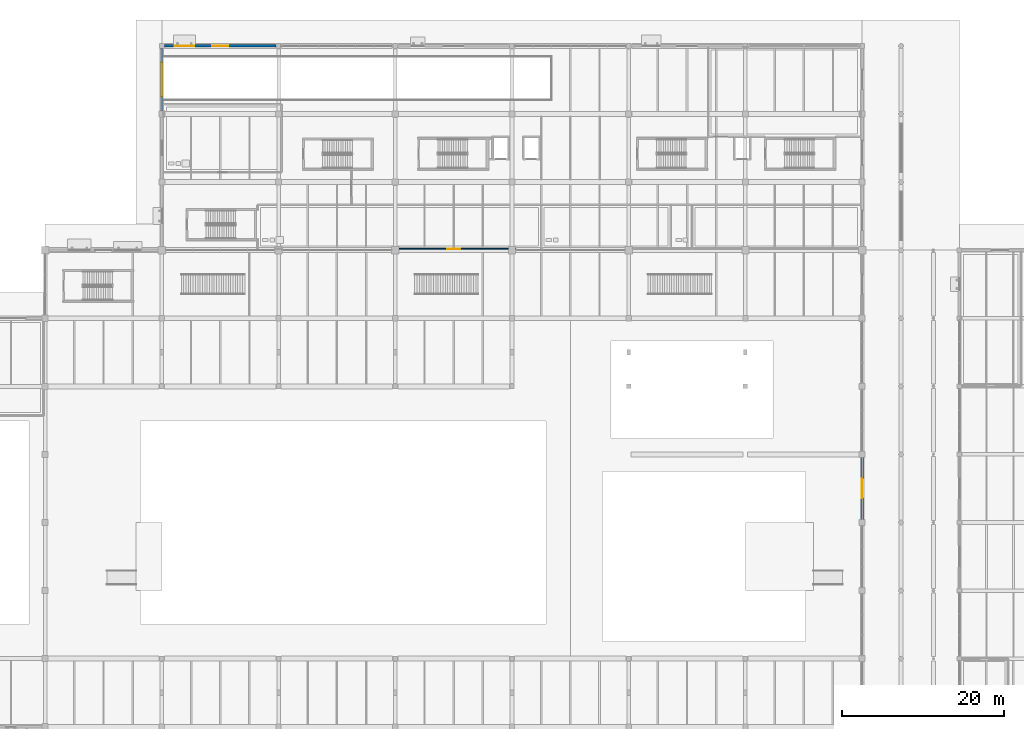
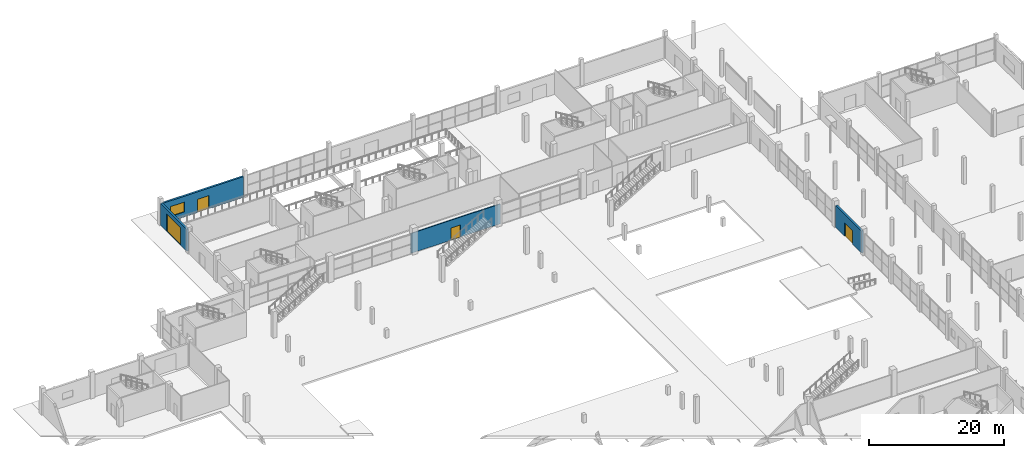
# One storey, part 94 of 130: 4 doors, 4 walls, 1 window, 5 openings.
"""IFC4 building model written with IfcOpenShell, lengths in metres."""

import ifcopenshell
import ifcopenshell.guid

model = None  # the IFC model being written
_history = None  # IfcOwnerHistory: only IFC2X3 demands one
_inside = {}  # id of a spatial element -> (the spatial element, [elements in it])
_under = {}  # id of a project, library or spatial element -> (it, [spatial elements below it])
_declared = {}  # id of a project -> (the project, [libraries it declares])
_typed = {}  # id of a type object -> (the type object, [elements of that type])
_made_of = {}  # id of a material, layer set ... -> (it, [elements and type objects made of it])


def new_model(schema):
    """Start an empty IFC model of exactly this schema.

    Asked for "IFC4X3", IfcOpenShell would pick the latest addendum, in which some entities
    have other attributes; the version numbers below select the first issue.
    IFC2X3 requires an IfcOwnerHistory on every rooted entity: one is made here for all.
    """
    global model, _history
    if schema == "IFC4X3":
        model = ifcopenshell.file(schema_version=(4, 3, 0, 0))
    else:
        model = ifcopenshell.file(schema=schema)
    _inside.clear()
    _under.clear()
    _declared.clear()
    _typed.clear()
    _made_of.clear()
    _history = None
    if model.schema == "IFC2X3":
        org = make("IfcOrganization", Name="unknown")
        user = make(
            "IfcPersonAndOrganization",
            ThePerson=make("IfcPerson", FamilyName="unknown"),
            TheOrganization=org,
        )
        app = make(
            "IfcApplication",
            ApplicationDeveloper=org,
            Version="unknown",
            ApplicationFullName="unknown",
            ApplicationIdentifier="unknown",
        )
        _history = make(
            "IfcOwnerHistory",
            OwningUser=user,
            OwningApplication=app,
            ChangeAction="ADDED",
            CreationDate=0,
        )
    return model


def make(cls, **values):
    """One entity of the class cls with the attributes given. An attribute that is None is left unset."""
    return model.create_entity(
        cls, **{name: value for name, value in values.items() if value is not None}
    )


def rooted(cls, **values):
    """An entity with a GlobalId (a new one), such as an element, a storey or a relation."""
    return make(cls, GlobalId=ifcopenshell.guid.new(), OwnerHistory=_history, **values)


def si_unit(unit_type, name, prefix=None):
    """IfcSIUnit, for example si_unit("LENGTHUNIT", "METRE", prefix="MILLI")."""
    return make("IfcSIUnit", UnitType=unit_type, Prefix=prefix, Name=name)


def assignment(units):
    """IfcUnitAssignment: the units of a project."""
    return None if units is None else make("IfcUnitAssignment", Units=units)


def point(xyz):
    """IfcCartesianPoint."""
    return None if xyz is None else make("IfcCartesianPoint", Coordinates=xyz)


def direction(xyz):
    """IfcDirection."""
    return None if xyz is None else make("IfcDirection", DirectionRatios=xyz)


def frame(location, z_axis=None, x_axis=None):
    """IfcAxis2Placement3D, a coordinate frame: its origin and axes. An axis left out is left unset."""
    return make(
        "IfcAxis2Placement3D",
        Location=point(location),
        Axis=direction(z_axis),
        RefDirection=direction(x_axis),
    )


def frame_2d(location, x_axis=None):
    """IfcAxis2Placement2D, a coordinate frame in the plane: its origin and x axis."""
    return make(
        "IfcAxis2Placement2D", Location=point(location), RefDirection=direction(x_axis)
    )


def origin():
    """The frame at (0, 0, 0) with its axes left unset."""
    return frame((0.0, 0.0, 0.0))


def place(relative_to, where):
    """IfcLocalPlacement: puts the frame where relative to a parent placement (None: the world)."""
    return make(
        "IfcLocalPlacement", PlacementRelTo=relative_to, RelativePlacement=where
    )


def context(
    kind, dimensions, precision=None, world=None, true_north=None, identifier=None
):
    """IfcGeometricRepresentationContext, for example the 3D "Model" context."""
    return make(
        "IfcGeometricRepresentationContext",
        ContextIdentifier=identifier,
        ContextType=kind,
        CoordinateSpaceDimension=dimensions,
        Precision=precision,
        WorldCoordinateSystem=world,
        TrueNorth=true_north,
    )


def subcontext(parent, identifier, kind, view, scale=None):
    """IfcGeometricRepresentationSubContext, for example "Body" below "Model"."""
    return make(
        "IfcGeometricRepresentationSubContext",
        ContextIdentifier=identifier,
        ContextType=kind,
        ParentContext=parent,
        TargetScale=scale,
        TargetView=view,
    )


def project(units=None, contexts=None):
    """IfcProject with its units and contexts."""
    return rooted(
        "IfcProject",
        Name="project",
        RepresentationContexts=contexts,
        UnitsInContext=assignment(units),
    )


def spatial(cls, under=None, at=None, **own):
    """A site, building, storey or space (cls), placed at a placement, below another one or the project."""
    s = rooted(cls, ObjectPlacement=at, **own)
    if under is not None:
        _under.setdefault(under.id(), (under, []))[1].append(s)
    return s


def profile(cls, at=None, kind="AREA", **sizes):
    """A parametric profile (cls). Its sizes go by their IFC names, for example OverallWidth=200.0."""
    return make(cls, ProfileType=kind, Position=at, **sizes)


def rectangle(**sizes):
    """IfcRectangleProfileDef."""
    return profile("IfcRectangleProfileDef", **sizes)


def extrude(swept, where, along, depth):
    """IfcExtrudedAreaSolid: the profile swept, set in the frame where, extruded along a direction by depth."""
    return make(
        "IfcExtrudedAreaSolid",
        SweptArea=swept,
        Position=where,
        ExtrudedDirection=direction(along),
        Depth=depth,
    )


def shape(context_of_items, identifier, shape_type, items):
    """IfcShapeRepresentation: the items that make up one representation, for example the "Body"."""
    return make(
        "IfcShapeRepresentation",
        ContextOfItems=context_of_items,
        RepresentationIdentifier=identifier,
        RepresentationType=shape_type,
        Items=items,
    )


def material(Name=None, Category=None):
    """IfcMaterial."""
    return make("IfcMaterial", Name=Name, Category=Category)


def layer(
    of_material, thickness, ventilated=None, Name=None, Category=None, Priority=None
):
    """IfcMaterialLayer: one layer of a wall or slab, of a material (None: an air gap)."""
    return make(
        "IfcMaterialLayer",
        Material=of_material,
        LayerThickness=thickness,
        IsVentilated=ventilated,
        Name=Name,
        Category=Category,
        Priority=Priority,
    )


def layer_set(layers, Name=None):
    """IfcMaterialLayerSet."""
    return make("IfcMaterialLayerSet", MaterialLayers=layers, LayerSetName=Name)


def made_of(thing, what):
    """Note that an element or type object is made of a material, layer set ...; save() writes the relation."""
    if what is not None:
        _made_of.setdefault(what.id(), (what, []))[1].append(thing)
    return thing


def type_object(cls, material=None, **own):
    """A type object (cls), such as IfcWallType, which elements share."""
    return made_of(rooted(cls, **own), material)


def element(
    cls,
    number,
    at=None,
    inside=None,
    cuts=None,
    type_object=None,
    material=None,
    context=None,
    identifier="Body",
    shape_type=None,
    held_by="IfcProductDefinitionShape",
    body=None,
    shapes=None,
    **own,
):
    """One element of the class cls, such as IfcWall. Its Tag is "e" and its number.

    at: its placement. inside: the storey or other place that contains it. cuts: it is an
    opening in that element (IfcRelVoidsElement). A single representation is given by context,
    identifier, shape_type and body (its items); several are given by shapes. held_by: the class
    of the entity that holds the representations. save() writes the other relations.
    """
    e = rooted(cls, Tag="e%d" % number, ObjectPlacement=at, **own)
    if body is not None:
        shapes = [shape(context, identifier, shape_type, body)]
    if shapes is not None:
        e.Representation = make(held_by, Representations=shapes)
    if inside is not None:
        _inside.setdefault(inside.id(), (inside, []))[1].append(e)
    if cuts is not None:
        rooted(
            "IfcRelVoidsElement", RelatingBuildingElement=cuts, RelatedOpeningElement=e
        )
    if type_object is not None:
        _typed.setdefault(type_object.id(), (type_object, []))[1].append(e)
    return made_of(e, material)


def fill(opening, filler):
    """IfcRelFillsElement: the door or window that sits in an opening."""
    return rooted(
        "IfcRelFillsElement",
        RelatingOpeningElement=opening,
        RelatedBuildingElement=filler,
    )


def aggregate(whole, parts):
    """IfcRelAggregates: a whole, such as a stair, and the parts it consists of."""
    return rooted("IfcRelAggregates", RelatingObject=whole, RelatedObjects=parts)


def save(model, path):
    """Write the relations noted so far, then the file.

    IfcRelAggregates (storeys below a building ...), IfcRelContainedInSpatialStructure (elements
    in a storey), IfcRelDefinesByType, IfcRelAssociatesMaterial and IfcRelDeclares: one each for
    every whole, place, type object, material and project.
    """
    for whole, parts in _under.values():
        aggregate(whole, parts)
    for where, things in _inside.values():
        rooted(
            "IfcRelContainedInSpatialStructure",
            RelatedElements=things,
            RelatingStructure=where,
        )
    for kind, things in _typed.values():
        rooted("IfcRelDefinesByType", RelatedObjects=things, RelatingType=kind)
    for what, things in _made_of.values():
        rooted("IfcRelAssociatesMaterial", RelatedObjects=things, RelatingMaterial=what)
    for by, libraries in _declared.values():
        rooted("IfcRelDeclares", RelatingContext=by, RelatedDefinitions=libraries)
    model.write(path)


model = new_model("IFC4")

# Units and contexts
model_context = context("Model", 3, precision=1e-05, world=origin(), true_north=direction((0.0, 1.0)))
body_context = subcontext(model_context, "Body", "Model", "MODEL_VIEW")
ifc_project = project(units=[si_unit("LENGTHUNIT", "METRE"), si_unit("AREAUNIT", "SQUARE_METRE"), si_unit("VOLUMEUNIT", "CUBIC_METRE"), si_unit("PLANEANGLEUNIT", "RADIAN"), si_unit("MASSUNIT", "GRAM", prefix="KILO"), si_unit("THERMODYNAMICTEMPERATUREUNIT", "KELVIN")], contexts=[model_context])

# Site, building, storey
site_placement = place(None, origin())
site = spatial("IfcSite", under=ifc_project, at=site_placement, CompositionType="ELEMENT")
building_placement = place(site_placement, origin())
building = spatial("IfcBuilding", under=site, at=building_placement, Name="Nduvali Passage Aquatics Centre", CompositionType="ELEMENT")
storey_placement = place(building_placement, origin())
storey = spatial("IfcBuildingStorey", under=building, at=storey_placement, Name="L00", CompositionType="ELEMENT", Elevation=0.0)

# Wall, opening, door
ifc_material_1 = material(Name="Coral-stone masonry blockwork", Category="masonry")
ifc_layer_1 = layer(ifc_material_1, 0.320068359375, Name="Coral-stone masonry blockwork")
ifc_layer_set_1 = layer_set([ifc_layer_1], Name="Coral-stone masonry blockwork")
wall_type_1 = type_object("IfcWallType", Name="ENV-WAL-CORAL320", PredefinedType="STANDARD", material=ifc_layer_set_1)
wall_1_placement = place(storey_placement, frame((126.0, 59.175048828125, 0.0), z_axis=(0.0, 0.0, 1.0), x_axis=(0.0, 1.0, 0.0)))
wall_1 = element("IfcWall", 1, at=wall_1_placement, inside=storey, type_object=wall_type_1, Name="L00 Pool Hall Central Passage Entry 0048", PredefinedType="STANDARD", context=body_context, shape_type="SweptSolid", body=[
    extrude(rectangle(XDim=7.64990234375, YDim=0.320068359375, at=frame_2d((3.824951171875, 0.0))), origin(), (0.0, 0.0, 1.0), 3.976318359375),
])
opening_1_placement = place(wall_1_placement, frame((2.625, 0.0, 0.0)))
opening_1 = element("IfcOpeningElement", 2, at=opening_1_placement, cuts=wall_1, Name="Opening ED1", PredefinedType="OPENING", context=body_context, shape_type="SweptSolid", body=[
    extrude(rectangle(XDim=2.39990234375, YDim=2.39990234375, at=frame_2d((1.199951171875, 1.199951171875))), frame((0.0, 0.1748046875, 0.0), z_axis=(0.0, -1.0, 0.0), x_axis=(1.0, 0.0, 0.0)), (0.0, 0.0, 1.0), 0.349853515625),
])
ifc_material_2 = material(Name="Aluminium-framed glazed door", Category="aluminium")
door_type_1 = type_object("IfcDoorType", Name="ENV-DR-EX240", OperationType="DOUBLE_DOOR_SINGLE_SWING", PredefinedType="DOOR", material=ifc_material_2)
door_1_placement = place(opening_1_placement, frame((2.39990234375, 0.0, 0.0), z_axis=(0.0, 0.0, 1.0), x_axis=(-1.0, 0.0, 0.0)))
door_1 = element("IfcDoor", 3, at=door_1_placement, inside=storey, type_object=door_type_1, Name="L00 Exterior Exit Door ED1-011", OperationType="DOUBLE_DOOR_SINGLE_SWING", OverallHeight=2.39990234375, OverallWidth=2.39990234375, PredefinedType="DOOR", context=body_context, shape_type="SweptSolid", body=[
    extrude(rectangle(XDim=2.39990234375, YDim=2.39990234375, at=frame_2d((1.199951171875, 1.199951171875))), frame((0.0, 0.02490234375, 0.0), z_axis=(0.0, -1.0, 0.0), x_axis=(1.0, 0.0, 0.0)), (0.0, 0.0, 1.0), 0.050048828125),
])
fill(opening_1, door_1)

# Wall, openings, door, window
wall_2_placement = place(storey_placement, frame((53.699951171875, 117.60009765625, 0.0), z_axis=(0.0, 0.0, 1.0), x_axis=(-1.0, 0.0, 0.0)))
wall_2 = element("IfcWall", 4, at=wall_2_placement, inside=storey, type_object=wall_type_1, Name="L00 North Avenue Civic Facade 0050", PredefinedType="STANDARD", context=body_context, shape_type="SweptSolid", body=[
    extrude(rectangle(XDim=13.800048828125, YDim=0.320068359375, at=frame_2d((6.89990234375, 0.0))), origin(), (0.0, 0.0, 1.0), 3.75390625),
])
opening_2_placement = place(wall_2_placement, frame((5.89990234375, 0.0, 0.0)))
opening_2 = element("IfcOpeningElement", 5, at=opening_2_placement, cuts=wall_2, Name="Opening ED2", PredefinedType="OPENING", context=body_context, shape_type="SweptSolid", body=[
    extrude(rectangle(XDim=2.0, YDim=2.39990234375, at=frame_2d((1.0, 1.199951171875))), frame((0.0, 0.1748046875, 0.0), z_axis=(0.0, -1.0, 0.0), x_axis=(1.0, 0.0, 0.0)), (0.0, 0.0, 1.0), 0.349853515625),
])
opening_3_placement = place(wall_2_placement, frame((10.115966796875, 0.0, 0.89990234375)))
opening_3 = element("IfcOpeningElement", 6, at=opening_3_placement, cuts=wall_2, Name="Opening W1", PredefinedType="OPENING", context=body_context, shape_type="SweptSolid", body=[
    extrude(rectangle(XDim=2.39990234375, YDim=1.800048828125, at=frame_2d((1.199951171875, 0.89990234375))), frame((0.0, 0.1748046875, 0.0), z_axis=(0.0, -1.0, 0.0), x_axis=(1.0, 0.0, 0.0)), (0.0, 0.0, 1.0), 0.349853515625),
])
door_type_2 = type_object("IfcDoorType", Name="ENV-DR-EX200", OperationType="DOUBLE_DOOR_SINGLE_SWING", PredefinedType="DOOR", material=ifc_material_2)
door_2_placement = place(opening_2_placement, frame((2.0, 0.0, 0.0), z_axis=(0.0, 0.0, 1.0), x_axis=(-1.0, 0.0, 0.0)))
door_2 = element("IfcDoor", 7, at=door_2_placement, inside=storey, type_object=door_type_2, Name="L00 Exterior Exit Door ED2-013", OperationType="DOUBLE_DOOR_SINGLE_SWING", OverallHeight=2.39990234375, OverallWidth=2.0, PredefinedType="DOOR", context=body_context, shape_type="SweptSolid", body=[
    extrude(rectangle(XDim=2.0, YDim=2.39990234375, at=frame_2d((1.0, 1.199951171875))), frame((0.0, 0.02490234375, 0.0), z_axis=(0.0, -1.0, 0.0), x_axis=(1.0, 0.0, 0.0)), (0.0, 0.0, 1.0), 0.050048828125),
])
fill(opening_2, door_2)
ifc_material_3 = material(Name="Aluminium-framed solar-control low-E IGU", Category="aluminium")
window_type = type_object("IfcWindowType", Name="ENV-WIN-W1", PartitioningType="SINGLE_PANEL", PredefinedType="WINDOW", material=ifc_material_3)
window_placement = place(opening_3_placement, origin())
window = element("IfcWindow", 8, at=window_placement, inside=storey, type_object=window_type, Name="L00 Exterior Window W1-0055", OverallHeight=1.800048828125, OverallWidth=2.39990234375, PartitioningType="SINGLE_PANEL", PredefinedType="WINDOW", context=body_context, shape_type="SweptSolid", body=[
    extrude(rectangle(XDim=2.39990234375, YDim=1.800048828125, at=frame_2d((1.199951171875, 0.89990234375))), frame((0.0, 0.030029296875, 0.0), z_axis=(0.0, -1.0, 0.0), x_axis=(1.0, 0.0, 0.0)), (0.0, 0.0, 1.0), 0.06005859375),
])
fill(opening_3, window)

# Wall, opening, door
wall_3_placement = place(storey_placement, frame((39.60009765625, 117.300048828125, 0.0), z_axis=(0.0, 0.0, 1.0), x_axis=(0.0, -1.0, 0.0)))
wall_3 = element("IfcWall", 9, at=wall_3_placement, inside=storey, type_object=wall_type_1, Name="L00 North Wing West Stepped Facade 0056", PredefinedType="STANDARD", context=body_context, shape_type="SweptSolid", body=[
    extrude(rectangle(XDim=7.72509765625, YDim=0.320068359375, at=frame_2d((3.862548828125, 0.0))), origin(), (0.0, 0.0, 1.0), 3.976318359375),
])
opening_4_placement = place(wall_3_placement, frame((1.761962890625, 0.0, 0.0)))
opening_4 = element("IfcOpeningElement", 10, at=opening_4_placement, cuts=wall_3, Name="Opening VG1", PredefinedType="OPENING", context=body_context, shape_type="SweptSolid", body=[
    extrude(rectangle(XDim=4.199951171875, YDim=3.199951171875, at=frame_2d((2.10009765625, 1.60009765625))), frame((0.0, 0.1748046875, 0.0), z_axis=(0.0, -1.0, 0.0), x_axis=(1.0, 0.0, 0.0)), (0.0, 0.0, 1.0), 0.349853515625),
])
ifc_material_4 = material(Name="Galvanised steel roller shutter", Category="steel")
door_type_3 = type_object("IfcDoorType", Name="ENV-GT-VG420", OperationType="ROLLINGUP", PredefinedType="GATE", material=ifc_material_4)
door_3_placement = place(opening_4_placement, frame((4.199951171875, 0.0, 0.0), z_axis=(0.0, 0.0, 1.0), x_axis=(-1.0, 0.0, 0.0)))
door_3 = element("IfcDoor", 11, at=door_3_placement, inside=storey, type_object=door_type_3, Name="L00 Exterior Exit Door VG1-017", OperationType="ROLLINGUP", OverallHeight=3.199951171875, OverallWidth=4.199951171875, PredefinedType="GATE", context=body_context, shape_type="SweptSolid", body=[
    extrude(rectangle(XDim=4.199951171875, YDim=3.199951171875, at=frame_2d((2.10009765625, 1.60009765625))), frame((0.0, 0.02490234375, 0.0), z_axis=(0.0, -1.0, 0.0), x_axis=(1.0, 0.0, 0.0)), (0.0, 0.0, 1.0), 0.050048828125),
])
fill(opening_4, door_3)

ifc_layer_2 = layer(ifc_material_1, 0.14990234375, Name="Coral-stone masonry blockwork")
ifc_layer_set_2 = layer_set([ifc_layer_2], Name="Coral-stone masonry blockwork")
wall_type_2 = type_object("IfcWallType", Name="INT-WAL-WET150", PredefinedType="PLUMBINGWALL", material=ifc_layer_set_2)
wall_4_placement = place(storey_placement, frame((67.949951171875, 92.56005859375, 0.0), z_axis=(0.0, 0.0, 1.0), x_axis=(1.0, 0.0, 0.0)))
wall_4 = element("IfcWall", 12, at=wall_4_placement, inside=storey, type_object=wall_type_2, Name="L00 Warm Hydrotherapy Pool Hall Partition 0070", PredefinedType="PLUMBINGWALL", context=body_context, shape_type="SweptSolid", body=[
    extrude(rectangle(XDim=15.300048828125, YDim=0.14990234375, at=frame_2d((7.64990234375, 0.0))), origin(), (0.0, 0.0, 1.0), 3.605712890625),
])
opening_5_placement = place(wall_4_placement, frame((6.85009765625, 0.0, 0.0)))
opening_5 = element("IfcOpeningElement", 13, at=opening_5_placement, cuts=wall_4, Name="Opening ID4", PredefinedType="OPENING", context=body_context, shape_type="SweptSolid", body=[
    extrude(rectangle(XDim=1.60009765625, YDim=2.199951171875, at=frame_2d((0.800048828125, 1.10009765625))), frame((0.0, 0.08984375, 0.0), z_axis=(0.0, -1.0, 0.0), x_axis=(1.0, 0.0, 0.0)), (0.0, 0.0, 1.0), 0.1796875),
])
door_type_4 = type_object("IfcDoorType", Name="INT-DR-DBL160", OperationType="DOUBLE_DOOR_SINGLE_SWING", PredefinedType="DOOR", material=ifc_material_2)
door_4_placement = place(opening_5_placement, origin())
door_4 = element("IfcDoor", 14, at=door_4_placement, inside=storey, type_object=door_type_4, Name="L00 Warm Hydrotherapy Pool Hall Door 0024", OperationType="DOUBLE_DOOR_SINGLE_SWING", OverallHeight=2.199951171875, OverallWidth=1.60009765625, PredefinedType="DOOR", context=body_context, shape_type="SweptSolid", body=[
    extrude(rectangle(XDim=1.60009765625, YDim=2.199951171875, at=frame_2d((0.800048828125, 1.10009765625))), frame((0.0, 0.02490234375, 0.0), z_axis=(0.0, -1.0, 0.0), x_axis=(1.0, 0.0, 0.0)), (0.0, 0.0, 1.0), 0.050048828125),
])
fill(opening_5, door_4)

save(model, "model.ifc")
